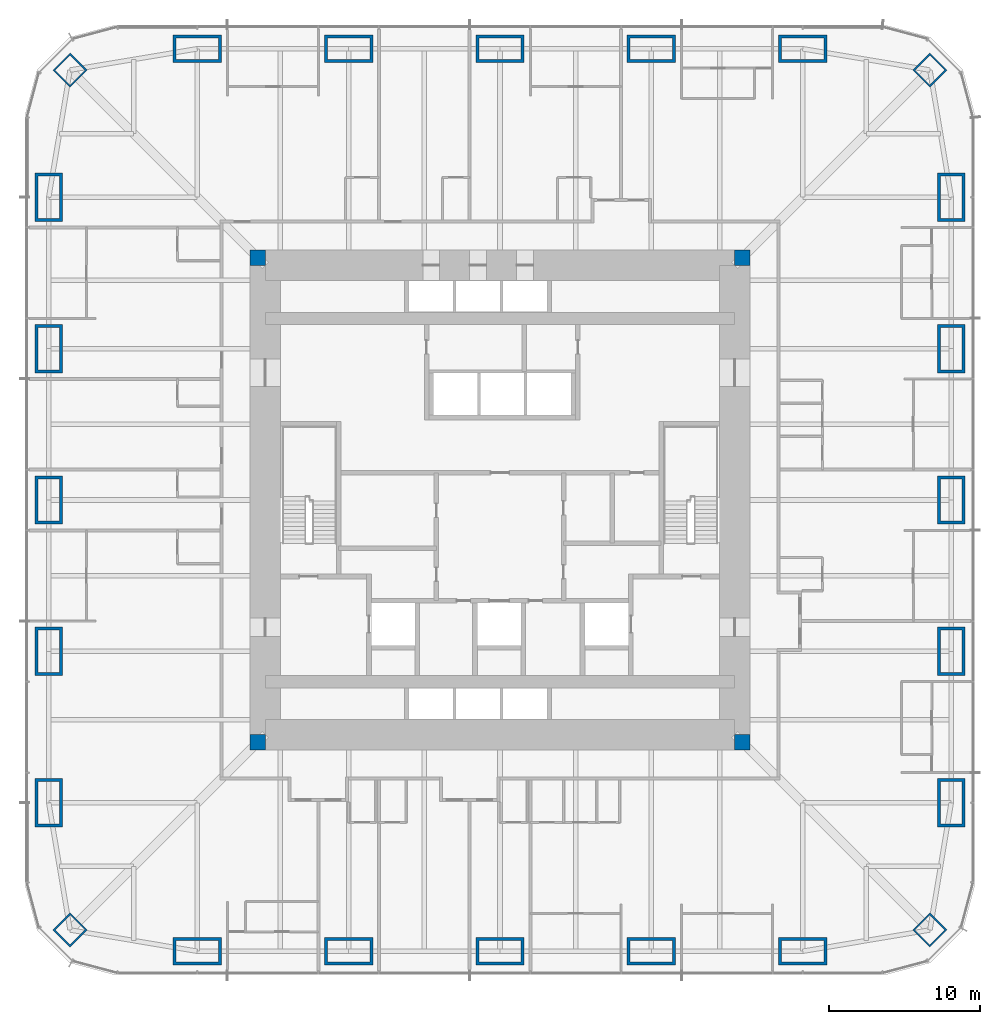
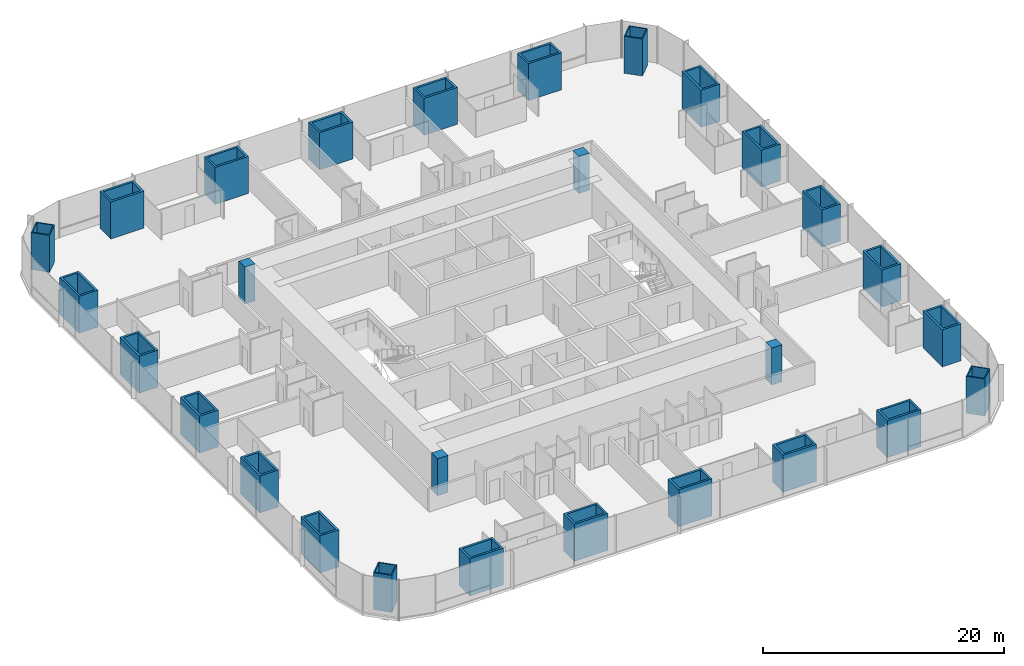
# One storey, part 1 of 16: 28 columns.
"""IFC4 building model written with IfcOpenShell, lengths in metres."""

from ifc_helpers import new_model, si_unit, direction, frame, origin, origin_2d, place, context, subcontext, project, spatial, rectangle, hollow_rectangle, extrude, material, material_profile, profile_set, type_object, element, save


model = new_model("IFC4")

# Units and contexts
model_context = context("Model", 3, precision=1e-05, world=origin(), true_north=direction((0.0, 1.0)))
body_context = subcontext(model_context, "Body", "Model", "MODEL_VIEW")
ifc_project = project(units=[si_unit("LENGTHUNIT", "METRE"), si_unit("AREAUNIT", "SQUARE_METRE"), si_unit("VOLUMEUNIT", "CUBIC_METRE"), si_unit("PLANEANGLEUNIT", "RADIAN"), si_unit("MASSUNIT", "GRAM", prefix="KILO")], contexts=[model_context])

# Site, building, storey
site_placement = place(None, origin())
site = spatial("IfcSite", under=ifc_project, at=site_placement, CompositionType="ELEMENT")
building_placement = place(site_placement, origin())
building = spatial("IfcBuilding", under=site, at=building_placement, Name="Khuree Lantern Residences", CompositionType="ELEMENT")
storey_placement = place(building_placement, frame((0.0, 0.0, 66.0)))
storey = spatial("IfcBuildingStorey", under=building, at=storey_placement, Name="L16", CompositionType="ELEMENT", Elevation=66.0)

# Columns
ifc_material_1 = material(Name="Steel S355 CFT welded box", Category="steel")
ifc_material_profile_1 = material_profile(ifc_material_1, hollow_rectangle(XDim=1.60009765625, YDim=1.60009765625, WallThickness=0.10009765625, at=origin_2d()), Name="WELDED BOX 1600X1600X100")
ifc_profile_set_1 = profile_set([ifc_material_profile_1], Name="Steel S355 CFT welded box")
column_type_1 = type_object("IfcColumnType", Name="CC1600 PERIMETER CORNER MEGA COLUMN WELDED BOX 1600X1600X100", PredefinedType="COLUMN", material=ifc_profile_set_1)
for number, where, z_axis, x_axis, name in (
    (1, (28.39404296875, 28.39404296875, 0.0), (0.0, 0.0, 1.0), (0.707106781187, -0.707106781187, 0.0), "Perimeter column NE"),
    (2, (28.39404296875, -28.39404296875, 0.0), (0.0, 0.0, 1.0), (0.707106781187, 0.707106781187, 0.0), "Perimeter column SE"),
    (3, (-28.39404296875, -28.39404296875, 0.0), (0.0, 0.0, 1.0), (0.707106781187, -0.707106781187, 0.0), "Perimeter column SW"),
    (4, (-28.39404296875, 28.39404296875, 0.0), (0.0, 0.0, 1.0), (0.707106781187, 0.707106781187, 0.0), "Perimeter column NW"),
):
    element("IfcColumn", number, at=place(storey_placement, frame(where, z_axis=z_axis, x_axis=x_axis)), inside=storey, type_object=column_type_1, Name=name, PredefinedType="COLUMN", context=body_context, shape_type="SweptSolid", body=[
        extrude(hollow_rectangle(XDim=1.60009765625, YDim=1.60009765625, WallThickness=0.10009765625, at=origin_2d()), origin(), (0.0, 0.0, 1.0), 3.75),
    ])
ifc_material_2 = material(Name="Concrete C70/85", Category="concrete")
ifc_material_profile_2 = material_profile(ifc_material_2, rectangle(XDim=1.0, YDim=1.0, at=origin_2d()), Name="RC 1000X1000")
ifc_profile_set_2 = profile_set([ifc_material_profile_2], Name="Concrete C70/85")
column_type_2 = type_object("IfcColumnType", Name="CP1000-C70 CORE CORNER PIER C70 RC 1000X1000", PredefinedType="COLUMN", material=ifc_profile_set_2)
for number, where, z_axis, x_axis, name in (
    (5, (16.0, 16.0, -0.25), (0.0, 0.0, 1.0), (1.0, 0.0, 0.0), "Core corner pier NE"),
    (6, (-16.0, 16.0, -0.25), (0.0, 0.0, 1.0), (1.0, 0.0, 0.0), "Core corner pier NW"),
    (7, (-16.0, -16.0, -0.25), (0.0, 0.0, 1.0), (1.0, 0.0, 0.0), "Core corner pier SW"),
    (8, (16.0, -16.0, -0.25), (0.0, 0.0, 1.0), (1.0, 0.0, 0.0), "Core corner pier SE"),
):
    element("IfcColumn", number, at=place(storey_placement, frame(where, z_axis=z_axis, x_axis=x_axis)), inside=storey, type_object=column_type_2, Name=name, PredefinedType="COLUMN", context=body_context, shape_type="SweptSolid", body=[
        extrude(rectangle(XDim=1.0, YDim=1.0, at=origin_2d()), origin(), (0.0, 0.0, 1.0), 3.75),
    ])
ifc_material_profile_3 = material_profile(ifc_material_1, hollow_rectangle(XDim=3.199951171875, YDim=1.800048828125, WallThickness=0.199951171875, at=origin_2d()), Name="WELDED BOX 3200X1800X200")
ifc_profile_set_3 = profile_set([ifc_material_profile_3], Name="Steel S355 CFT welded box")
column_type_3 = type_object("IfcColumnType", Name="SC1 PERIMETER MEGA COLUMN WELDED BOX 3200X1800X200", PredefinedType="COLUMN", material=ifc_profile_set_3)
for number, where, z_axis, x_axis, name in (
    (9, (-20.0, 29.800048828125, 0.0), (0.0, 0.0, 1.0), (1.0, 0.0, 0.0), "Perimeter column N1"),
    (10, (-10.0, 29.800048828125, 0.0), (0.0, 0.0, 1.0), (1.0, 0.0, 0.0), "Perimeter column N2"),
    (11, (0.0, 29.800048828125, 0.0), (0.0, 0.0, 1.0), (1.0, 0.0, 0.0), "Perimeter column N3"),
    (12, (10.0, 29.800048828125, 0.0), (0.0, 0.0, 1.0), (1.0, 0.0, 0.0), "Perimeter column N4"),
    (13, (20.0, 29.800048828125, 0.0), (0.0, 0.0, 1.0), (1.0, 0.0, 0.0), "Perimeter column N5"),
    (14, (29.800048828125, 20.0, 0.0), (0.0, 0.0, 1.0), (0.0, 1.0, 0.0), "Perimeter column E1"),
    (15, (29.800048828125, 10.0, 0.0), (0.0, 0.0, 1.0), (0.0, 1.0, 0.0), "Perimeter column E2"),
    (16, (29.800048828125, 0.0, 0.0), (0.0, 0.0, 1.0), (0.0, 1.0, 0.0), "Perimeter column E3"),
    (17, (29.800048828125, -10.0, 0.0), (0.0, 0.0, 1.0), (0.0, 1.0, 0.0), "Perimeter column E4"),
    (18, (29.800048828125, -20.0, 0.0), (0.0, 0.0, 1.0), (0.0, 1.0, 0.0), "Perimeter column E5"),
    (19, (20.0, -29.800048828125, 0.0), (0.0, 0.0, 1.0), (1.0, 0.0, 0.0), "Perimeter column S1"),
    (20, (10.0, -29.800048828125, 0.0), (0.0, 0.0, 1.0), (1.0, 0.0, 0.0), "Perimeter column S2"),
    (21, (0.0, -29.800048828125, 0.0), (0.0, 0.0, 1.0), (1.0, 0.0, 0.0), "Perimeter column S3"),
    (22, (-10.0, -29.800048828125, 0.0), (0.0, 0.0, 1.0), (1.0, 0.0, 0.0), "Perimeter column S4"),
    (23, (-20.0, -29.800048828125, 0.0), (0.0, 0.0, 1.0), (1.0, 0.0, 0.0), "Perimeter column S5"),
    (24, (-29.800048828125, -20.0, 0.0), (0.0, 0.0, 1.0), (0.0, 1.0, 0.0), "Perimeter column W1"),
    (25, (-29.800048828125, -10.0, 0.0), (0.0, 0.0, 1.0), (0.0, 1.0, 0.0), "Perimeter column W2"),
    (26, (-29.800048828125, 0.0, 0.0), (0.0, 0.0, 1.0), (0.0, 1.0, 0.0), "Perimeter column W3"),
    (27, (-29.800048828125, 10.0, 0.0), (0.0, 0.0, 1.0), (0.0, 1.0, 0.0), "Perimeter column W4"),
    (28, (-29.800048828125, 20.0, 0.0), (0.0, 0.0, 1.0), (0.0, 1.0, 0.0), "Perimeter column W5"),
):
    element("IfcColumn", number, at=place(storey_placement, frame(where, z_axis=z_axis, x_axis=x_axis)), inside=storey, type_object=column_type_3, Name=name, PredefinedType="COLUMN", context=body_context, shape_type="SweptSolid", body=[
        extrude(hollow_rectangle(XDim=3.199951171875, YDim=1.800048828125, WallThickness=0.199951171875, at=origin_2d()), origin(), (0.0, 0.0, 1.0), 3.75),
    ])

save(model, "model.ifc")
